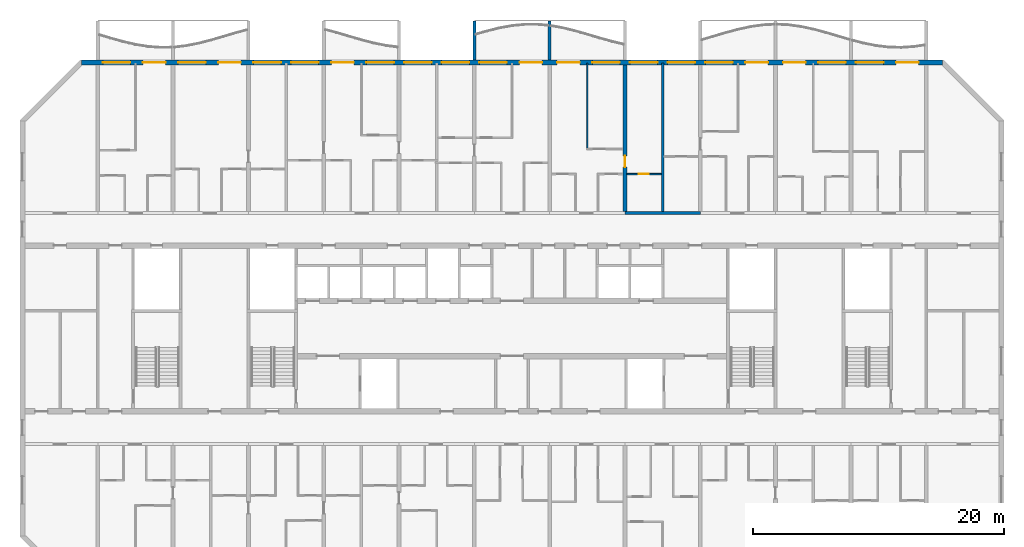
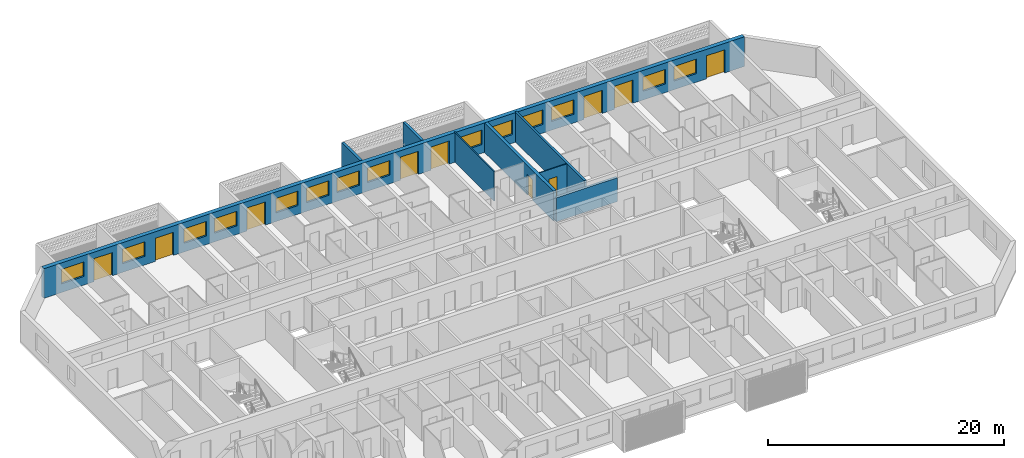
# One storey, part 10 of 31: 14 windows, 10 doors, 8 walls, 24 openings.
"""IFC4 building model written with IfcOpenShell, lengths in metres."""

from ifc_helpers import new_model, si_unit, direction, frame, frame_2d, origin, place, context, subcontext, project, spatial, polyline, rectangle, outline, extrude, source, transform, mapped, material, layer, layer_set, type_object, element, fill, save


model = new_model("IFC4")

# Units and contexts
model_context = context("Model", 3, precision=1e-05, world=origin(), true_north=direction((0.0, 1.0)))
body_context = subcontext(model_context, "Body", "Model", "MODEL_VIEW")
ifc_project = project(units=[si_unit("LENGTHUNIT", "METRE"), si_unit("AREAUNIT", "SQUARE_METRE"), si_unit("VOLUMEUNIT", "CUBIC_METRE"), si_unit("PLANEANGLEUNIT", "RADIAN"), si_unit("MASSUNIT", "GRAM", prefix="KILO")], contexts=[model_context])

# Site, building, storey
site_placement = place(None, origin())
site = spatial("IfcSite", under=ifc_project, at=site_placement, CompositionType="ELEMENT")
building_placement = place(site_placement, origin())
building = spatial("IfcBuilding", under=site, at=building_placement, Name="Poui Terraces", CompositionType="ELEMENT")
storey_placement = place(building_placement, frame((0.0, 0.0, 148.800048828125)))
storey = spatial("IfcBuildingStorey", under=building, at=storey_placement, Name="L41", CompositionType="ELEMENT", Elevation=148.800048828125)

# Wall
ifc_material_1 = material(Name="Concrete 65 MPa", Category="concrete")
ifc_layer_1 = layer(ifc_material_1, 0.25)
ifc_layer_set_1 = layer_set([ifc_layer_1], Name="Concrete 65 MPa")
wall_type_1 = type_object("IfcWallType", Name="CORRIDOR WALL 250 65MPa", PredefinedType="SHEAR", material=ifc_layer_set_1)
wall_1_placement = place(storey_placement, frame((60.0, 30.39990234375, 0.0), z_axis=(0.0, 0.0, 1.0), x_axis=(1.0, 0.0, 0.0)))
element("IfcWall", 1, at=wall_1_placement, inside=storey, type_object=wall_type_1, Name="CORRIDOR WALL LINE E BAY 9", PredefinedType="SHEAR", context=body_context, shape_type="SweptSolid", body=[
    extrude(rectangle(XDim=6.0, YDim=0.25, at=frame_2d((3.0, 0.0))), origin(), (0.0, 0.0, 1.0), 2.469970703125),
])

# Wall, opening, door
ifc_layer_2 = layer(ifc_material_1, 0.300048828125)
ifc_layer_set_2 = layer_set([ifc_layer_2], Name="Concrete 65 MPa")
wall_type_2 = type_object("IfcWallType", Name="CROSS WALL 300 65MPa", PredefinedType="SHEAR", material=ifc_layer_set_2)
wall_2_placement = place(storey_placement, frame((60.0, 30.52490234375, 0.0), z_axis=(0.0, 0.0, 1.0), x_axis=(0.0, 1.0, 0.0)))
wall_2 = element("IfcWall", 2, at=wall_2_placement, inside=storey, type_object=wall_type_2, Name="CROSS WALL LINE 11 NORTH", PredefinedType="SHEAR", context=body_context, shape_type="SweptSolid", body=[
    extrude(rectangle(XDim=11.675048828125, YDim=0.300048828125, at=frame_2d((5.83740234375, 0.0))), origin(), (0.0, 0.0, 1.0), 3.070068359375),
])
opening_1_placement = place(wall_2_placement, frame((3.52490234375, 0.0, 0.0)))
opening_1 = element("IfcOpeningElement", 3, at=opening_1_placement, cuts=wall_2, Name="Opening D90", PredefinedType="OPENING", context=body_context, shape_type="SweptSolid", body=[
    extrude(rectangle(XDim=0.89990234375, YDim=2.10009765625, at=frame_2d((0.449951171875, 1.050048828125))), frame((0.0, 0.16015625, 0.0), z_axis=(0.0, -1.0, 0.0), x_axis=(1.0, 0.0, 0.0)), (0.0, 0.0, 1.0), 0.320068359375),
])
ifc_material_2 = material(Name="Solid core timber door", Category="wood")
door_type_1 = type_object("IfcDoorType", Name="INTERNAL DOOR 900 X 2100", OperationType="NOTDEFINED", PredefinedType="DOOR", material=ifc_material_2)
door_1_placement = place(opening_1_placement, frame((0.89990234375, 0.0, 0.0), z_axis=(0.0, 0.0, 1.0), x_axis=(-1.0, 0.0, 0.0)))
door_1 = element("IfcDoor", 4, at=door_1_placement, inside=storey, type_object=door_type_1, Name="INTERNAL DOOR 062", OperationType="SINGLE_SWING_RIGHT", OverallHeight=2.10009765625, OverallWidth=0.89990234375, PredefinedType="DOOR", context=body_context, shape_type="SweptSolid", body=[
    extrude(rectangle(XDim=0.89990234375, YDim=2.10009765625, at=frame_2d((0.449951171875, 1.050048828125))), frame((0.0, 0.02490234375, 0.0), z_axis=(0.0, -1.0, 0.0), x_axis=(1.0, 0.0, 0.0)), (0.0, 0.0, 1.0), 0.050048828125),
])
fill(opening_1, door_1)

# Wall, openings, doors, windows
ifc_material_3 = material(Name="Precast concrete 40 MPa", Category="concrete")
ifc_layer_3 = layer(ifc_material_3, 0.39990234375)
ifc_layer_set_3 = layer_set([ifc_layer_3], Name="Precast concrete 40 MPa")
wall_type_3 = type_object("IfcWallType", Name="EXTERNAL WALL 400", PredefinedType="STANDARD", material=ifc_layer_set_3)
wall_3_placement = place(storey_placement, frame((85.317138671875, 42.39990234375, 0.0), z_axis=(0.0, 0.0, 1.0), x_axis=(-1.0, 0.0, 0.0)))
wall_3 = element("IfcWall", 5, at=wall_3_placement, inside=storey, type_object=wall_type_3, Name="EXTERNAL WALL N", PredefinedType="STANDARD", context=body_context, shape_type="SweptSolid", body=[
    extrude(rectangle(XDim=68.63427734375, YDim=0.39990234375, at=frame_2d((34.317138671875, 0.0))), origin(), (0.0, 0.0, 1.0), 3.070068359375),
])
opening_2_placement = place(wall_3_placement, frame((64.71728515625, 0.0, 0.89990234375)))
opening_2 = element("IfcOpeningElement", 6, at=opening_2_placement, cuts=wall_3, Name="Opening W1", PredefinedType="OPENING", context=body_context, shape_type="SweptSolid", body=[
    extrude(rectangle(XDim=2.199951171875, YDim=1.5, at=frame_2d((1.10009765625, 0.75))), frame((0.0, 0.2099609375, 0.0), z_axis=(0.0, -1.0, 0.0), x_axis=(1.0, 0.0, 0.0)), (0.0, 0.0, 1.0), 0.419921875),
])
opening_3_placement = place(wall_3_placement, frame((61.917236328125, 0.0, 0.0)))
opening_3 = element("IfcOpeningElement", 7, at=opening_3_placement, cuts=wall_3, Name="Opening BD1", PredefinedType="OPENING", context=body_context, shape_type="SweptSolid", body=[
    extrude(rectangle(XDim=1.800048828125, YDim=2.39990234375, at=frame_2d((0.89990234375, 1.199951171875))), frame((0.0, 0.2099609375, 0.0), z_axis=(0.0, -1.0, 0.0), x_axis=(1.0, 0.0, 0.0)), (0.0, 0.0, 1.0), 0.419921875),
])
opening_4_placement = place(wall_3_placement, frame((58.71728515625, 0.0, 0.89990234375)))
opening_4 = element("IfcOpeningElement", 8, at=opening_4_placement, cuts=wall_3, Name="Opening W1", PredefinedType="OPENING", context=body_context, shape_type="SweptSolid", body=[
    extrude(rectangle(XDim=2.199951171875, YDim=1.5, at=frame_2d((1.10009765625, 0.75))), frame((0.0, 0.2099609375, 0.0), z_axis=(0.0, -1.0, 0.0), x_axis=(1.0, 0.0, 0.0)), (0.0, 0.0, 1.0), 0.419921875),
])
opening_5_placement = place(wall_3_placement, frame((55.917236328125, 0.0, 0.0)))
opening_5 = element("IfcOpeningElement", 9, at=opening_5_placement, cuts=wall_3, Name="Opening BD1", PredefinedType="OPENING", context=body_context, shape_type="SweptSolid", body=[
    extrude(rectangle(XDim=1.800048828125, YDim=2.39990234375, at=frame_2d((0.89990234375, 1.199951171875))), frame((0.0, 0.2099609375, 0.0), z_axis=(0.0, -1.0, 0.0), x_axis=(1.0, 0.0, 0.0)), (0.0, 0.0, 1.0), 0.419921875),
])
opening_6_placement = place(wall_3_placement, frame((52.71728515625, 0.0, 0.89990234375)))
opening_6 = element("IfcOpeningElement", 10, at=opening_6_placement, cuts=wall_3, Name="Opening W1", PredefinedType="OPENING", context=body_context, shape_type="SweptSolid", body=[
    extrude(rectangle(XDim=2.199951171875, YDim=1.5, at=frame_2d((1.10009765625, 0.75))), frame((0.0, 0.2099609375, 0.0), z_axis=(0.0, -1.0, 0.0), x_axis=(1.0, 0.0, 0.0)), (0.0, 0.0, 1.0), 0.419921875),
])
opening_7_placement = place(wall_3_placement, frame((49.71728515625, 0.0, 0.89990234375)))
opening_7 = element("IfcOpeningElement", 11, at=opening_7_placement, cuts=wall_3, Name="Opening W1", PredefinedType="OPENING", context=body_context, shape_type="SweptSolid", body=[
    extrude(rectangle(XDim=2.199951171875, YDim=1.5, at=frame_2d((1.10009765625, 0.75))), frame((0.0, 0.2099609375, 0.0), z_axis=(0.0, -1.0, 0.0), x_axis=(1.0, 0.0, 0.0)), (0.0, 0.0, 1.0), 0.419921875),
])
opening_8_placement = place(wall_3_placement, frame((46.917236328125, 0.0, 0.0)))
opening_8 = element("IfcOpeningElement", 12, at=opening_8_placement, cuts=wall_3, Name="Opening BD1", PredefinedType="OPENING", context=body_context, shape_type="SweptSolid", body=[
    extrude(rectangle(XDim=1.800048828125, YDim=2.39990234375, at=frame_2d((0.89990234375, 1.199951171875))), frame((0.0, 0.2099609375, 0.0), z_axis=(0.0, -1.0, 0.0), x_axis=(1.0, 0.0, 0.0)), (0.0, 0.0, 1.0), 0.419921875),
])
opening_9_placement = place(wall_3_placement, frame((43.71728515625, 0.0, 0.89990234375)))
opening_9 = element("IfcOpeningElement", 13, at=opening_9_placement, cuts=wall_3, Name="Opening W1", PredefinedType="OPENING", context=body_context, shape_type="SweptSolid", body=[
    extrude(rectangle(XDim=2.199951171875, YDim=1.5, at=frame_2d((1.10009765625, 0.75))), frame((0.0, 0.2099609375, 0.0), z_axis=(0.0, -1.0, 0.0), x_axis=(1.0, 0.0, 0.0)), (0.0, 0.0, 1.0), 0.419921875),
])
opening_10_placement = place(wall_3_placement, frame((40.71728515625, 0.0, 0.89990234375)))
opening_10 = element("IfcOpeningElement", 14, at=opening_10_placement, cuts=wall_3, Name="Opening W1", PredefinedType="OPENING", context=body_context, shape_type="SweptSolid", body=[
    extrude(rectangle(XDim=2.199951171875, YDim=1.5, at=frame_2d((1.10009765625, 0.75))), frame((0.0, 0.2099609375, 0.0), z_axis=(0.0, -1.0, 0.0), x_axis=(1.0, 0.0, 0.0)), (0.0, 0.0, 1.0), 0.419921875),
])
opening_11_placement = place(wall_3_placement, frame((37.71728515625, 0.0, 0.89990234375)))
opening_11 = element("IfcOpeningElement", 15, at=opening_11_placement, cuts=wall_3, Name="Opening W1", PredefinedType="OPENING", context=body_context, shape_type="SweptSolid", body=[
    extrude(rectangle(XDim=2.199951171875, YDim=1.5, at=frame_2d((1.10009765625, 0.75))), frame((0.0, 0.2099609375, 0.0), z_axis=(0.0, -1.0, 0.0), x_axis=(1.0, 0.0, 0.0)), (0.0, 0.0, 1.0), 0.419921875),
])
opening_12_placement = place(wall_3_placement, frame((34.71728515625, 0.0, 0.89990234375)))
opening_12 = element("IfcOpeningElement", 16, at=opening_12_placement, cuts=wall_3, Name="Opening W1", PredefinedType="OPENING", context=body_context, shape_type="SweptSolid", body=[
    extrude(rectangle(XDim=2.199951171875, YDim=1.5, at=frame_2d((1.10009765625, 0.75))), frame((0.0, 0.2099609375, 0.0), z_axis=(0.0, -1.0, 0.0), x_axis=(1.0, 0.0, 0.0)), (0.0, 0.0, 1.0), 0.419921875),
])
opening_13_placement = place(wall_3_placement, frame((31.917236328125, 0.0, 0.0)))
opening_13 = element("IfcOpeningElement", 17, at=opening_13_placement, cuts=wall_3, Name="Opening BD1", PredefinedType="OPENING", context=body_context, shape_type="SweptSolid", body=[
    extrude(rectangle(XDim=1.800048828125, YDim=2.39990234375, at=frame_2d((0.89990234375, 1.199951171875))), frame((0.0, 0.2099609375, 0.0), z_axis=(0.0, -1.0, 0.0), x_axis=(1.0, 0.0, 0.0)), (0.0, 0.0, 1.0), 0.419921875),
])
opening_14_placement = place(wall_3_placement, frame((28.917236328125, 0.0, 0.0)))
opening_14 = element("IfcOpeningElement", 18, at=opening_14_placement, cuts=wall_3, Name="Opening BD1", PredefinedType="OPENING", context=body_context, shape_type="SweptSolid", body=[
    extrude(rectangle(XDim=1.800048828125, YDim=2.39990234375, at=frame_2d((0.89990234375, 1.199951171875))), frame((0.0, 0.2099609375, 0.0), z_axis=(0.0, -1.0, 0.0), x_axis=(1.0, 0.0, 0.0)), (0.0, 0.0, 1.0), 0.419921875),
])
opening_15_placement = place(wall_3_placement, frame((25.71728515625, 0.0, 0.89990234375)))
opening_15 = element("IfcOpeningElement", 19, at=opening_15_placement, cuts=wall_3, Name="Opening W1", PredefinedType="OPENING", context=body_context, shape_type="SweptSolid", body=[
    extrude(rectangle(XDim=2.199951171875, YDim=1.5, at=frame_2d((1.10009765625, 0.75))), frame((0.0, 0.2099609375, 0.0), z_axis=(0.0, -1.0, 0.0), x_axis=(1.0, 0.0, 0.0)), (0.0, 0.0, 1.0), 0.419921875),
])
opening_16_placement = place(wall_3_placement, frame((22.71728515625, 0.0, 0.89990234375)))
opening_16 = element("IfcOpeningElement", 20, at=opening_16_placement, cuts=wall_3, Name="Opening W1", PredefinedType="OPENING", context=body_context, shape_type="SweptSolid", body=[
    extrude(rectangle(XDim=2.199951171875, YDim=1.5, at=frame_2d((1.10009765625, 0.75))), frame((0.0, 0.2099609375, 0.0), z_axis=(0.0, -1.0, 0.0), x_axis=(1.0, 0.0, 0.0)), (0.0, 0.0, 1.0), 0.419921875),
])
opening_17_placement = place(wall_3_placement, frame((19.71728515625, 0.0, 0.89990234375)))
opening_17 = element("IfcOpeningElement", 21, at=opening_17_placement, cuts=wall_3, Name="Opening W1", PredefinedType="OPENING", context=body_context, shape_type="SweptSolid", body=[
    extrude(rectangle(XDim=2.199951171875, YDim=1.5, at=frame_2d((1.10009765625, 0.75))), frame((0.0, 0.2099609375, 0.0), z_axis=(0.0, -1.0, 0.0), x_axis=(1.0, 0.0, 0.0)), (0.0, 0.0, 1.0), 0.419921875),
])
opening_18_placement = place(wall_3_placement, frame((16.71728515625, 0.0, 0.89990234375)))
opening_18 = element("IfcOpeningElement", 22, at=opening_18_placement, cuts=wall_3, Name="Opening W1", PredefinedType="OPENING", context=body_context, shape_type="SweptSolid", body=[
    extrude(rectangle(XDim=2.199951171875, YDim=1.5, at=frame_2d((1.10009765625, 0.75))), frame((0.0, 0.2099609375, 0.0), z_axis=(0.0, -1.0, 0.0), x_axis=(1.0, 0.0, 0.0)), (0.0, 0.0, 1.0), 0.419921875),
])
opening_19_placement = place(wall_3_placement, frame((13.917236328125, 0.0, 0.0)))
opening_19 = element("IfcOpeningElement", 23, at=opening_19_placement, cuts=wall_3, Name="Opening BD1", PredefinedType="OPENING", context=body_context, shape_type="SweptSolid", body=[
    extrude(rectangle(XDim=1.800048828125, YDim=2.39990234375, at=frame_2d((0.89990234375, 1.199951171875))), frame((0.0, 0.2099609375, 0.0), z_axis=(0.0, -1.0, 0.0), x_axis=(1.0, 0.0, 0.0)), (0.0, 0.0, 1.0), 0.419921875),
])
opening_20_placement = place(wall_3_placement, frame((10.917236328125, 0.0, 0.0)))
opening_20 = element("IfcOpeningElement", 24, at=opening_20_placement, cuts=wall_3, Name="Opening BD1", PredefinedType="OPENING", context=body_context, shape_type="SweptSolid", body=[
    extrude(rectangle(XDim=1.800048828125, YDim=2.39990234375, at=frame_2d((0.89990234375, 1.199951171875))), frame((0.0, 0.2099609375, 0.0), z_axis=(0.0, -1.0, 0.0), x_axis=(1.0, 0.0, 0.0)), (0.0, 0.0, 1.0), 0.419921875),
])
opening_21_placement = place(wall_3_placement, frame((7.71728515625, 0.0, 0.89990234375)))
opening_21 = element("IfcOpeningElement", 25, at=opening_21_placement, cuts=wall_3, Name="Opening W1", PredefinedType="OPENING", context=body_context, shape_type="SweptSolid", body=[
    extrude(rectangle(XDim=2.199951171875, YDim=1.5, at=frame_2d((1.10009765625, 0.75))), frame((0.0, 0.2099609375, 0.0), z_axis=(0.0, -1.0, 0.0), x_axis=(1.0, 0.0, 0.0)), (0.0, 0.0, 1.0), 0.419921875),
])
opening_22_placement = place(wall_3_placement, frame((4.71728515625, 0.0, 0.89990234375)))
opening_22 = element("IfcOpeningElement", 26, at=opening_22_placement, cuts=wall_3, Name="Opening W1", PredefinedType="OPENING", context=body_context, shape_type="SweptSolid", body=[
    extrude(rectangle(XDim=2.199951171875, YDim=1.5, at=frame_2d((1.10009765625, 0.75))), frame((0.0, 0.2099609375, 0.0), z_axis=(0.0, -1.0, 0.0), x_axis=(1.0, 0.0, 0.0)), (0.0, 0.0, 1.0), 0.419921875),
])
opening_23_placement = place(wall_3_placement, frame((1.917236328125, 0.0, 0.0)))
opening_23 = element("IfcOpeningElement", 27, at=opening_23_placement, cuts=wall_3, Name="Opening BD1", PredefinedType="OPENING", context=body_context, shape_type="SweptSolid", body=[
    extrude(rectangle(XDim=1.800048828125, YDim=2.39990234375, at=frame_2d((0.89990234375, 1.199951171875))), frame((0.0, 0.2099609375, 0.0), z_axis=(0.0, -1.0, 0.0), x_axis=(1.0, 0.0, 0.0)), (0.0, 0.0, 1.0), 0.419921875),
])
ifc_material_4 = material(Name="Clear glass in aluminium frame", Category="aluminium")
door_type_2 = type_object("IfcDoorType", Name="BALCONY DOOR 1800X2400", OperationType="DOUBLE_DOOR_SLIDING", PredefinedType="DOOR", material=ifc_material_4)
door_2_placement = place(opening_3_placement, origin())
door_2 = element("IfcDoor", 28, at=door_2_placement, inside=storey, type_object=door_type_2, Name="BD1 BALCONY DOOR", OperationType="DOUBLE_DOOR_SLIDING", OverallHeight=2.39990234375, OverallWidth=1.800048828125, PredefinedType="DOOR", context=body_context, shape_type="SweptSolid", body=[
    extrude(rectangle(XDim=1.800048828125, YDim=2.39990234375, at=frame_2d((0.89990234375, 1.199951171875))), frame((0.0, 0.02490234375, 0.0), z_axis=(0.0, -1.0, 0.0), x_axis=(1.0, 0.0, 0.0)), (0.0, 0.0, 1.0), 0.050048828125),
])
fill(opening_3, door_2)
door_3_placement = place(opening_5_placement, origin())
door_3 = element("IfcDoor", 29, at=door_3_placement, inside=storey, type_object=door_type_2, Name="BD1 BALCONY DOOR", OperationType="DOUBLE_DOOR_SLIDING", OverallHeight=2.39990234375, OverallWidth=1.800048828125, PredefinedType="DOOR", context=body_context, shape_type="SweptSolid", body=[
    extrude(rectangle(XDim=1.800048828125, YDim=2.39990234375, at=frame_2d((0.89990234375, 1.199951171875))), frame((0.0, 0.02490234375, 0.0), z_axis=(0.0, -1.0, 0.0), x_axis=(1.0, 0.0, 0.0)), (0.0, 0.0, 1.0), 0.050048828125),
])
fill(opening_5, door_3)
door_4_placement = place(opening_8_placement, origin())
door_4 = element("IfcDoor", 30, at=door_4_placement, inside=storey, type_object=door_type_2, Name="BD1 BALCONY DOOR", OperationType="DOUBLE_DOOR_SLIDING", OverallHeight=2.39990234375, OverallWidth=1.800048828125, PredefinedType="DOOR", context=body_context, shape_type="SweptSolid", body=[
    extrude(rectangle(XDim=1.800048828125, YDim=2.39990234375, at=frame_2d((0.89990234375, 1.199951171875))), frame((0.0, 0.02490234375, 0.0), z_axis=(0.0, -1.0, 0.0), x_axis=(1.0, 0.0, 0.0)), (0.0, 0.0, 1.0), 0.050048828125),
])
fill(opening_8, door_4)
door_5_placement = place(opening_13_placement, origin())
door_5 = element("IfcDoor", 31, at=door_5_placement, inside=storey, type_object=door_type_2, Name="BD1 BALCONY DOOR", OperationType="DOUBLE_DOOR_SLIDING", OverallHeight=2.39990234375, OverallWidth=1.800048828125, PredefinedType="DOOR", context=body_context, shape_type="SweptSolid", body=[
    extrude(rectangle(XDim=1.800048828125, YDim=2.39990234375, at=frame_2d((0.89990234375, 1.199951171875))), frame((0.0, 0.02490234375, 0.0), z_axis=(0.0, -1.0, 0.0), x_axis=(1.0, 0.0, 0.0)), (0.0, 0.0, 1.0), 0.050048828125),
])
fill(opening_13, door_5)
door_6_placement = place(opening_14_placement, origin())
door_6 = element("IfcDoor", 32, at=door_6_placement, inside=storey, type_object=door_type_2, Name="BD1 BALCONY DOOR", OperationType="DOUBLE_DOOR_SLIDING", OverallHeight=2.39990234375, OverallWidth=1.800048828125, PredefinedType="DOOR", context=body_context, shape_type="SweptSolid", body=[
    extrude(rectangle(XDim=1.800048828125, YDim=2.39990234375, at=frame_2d((0.89990234375, 1.199951171875))), frame((0.0, 0.02490234375, 0.0), z_axis=(0.0, -1.0, 0.0), x_axis=(1.0, 0.0, 0.0)), (0.0, 0.0, 1.0), 0.050048828125),
])
fill(opening_14, door_6)
door_7_placement = place(opening_19_placement, origin())
door_7 = element("IfcDoor", 33, at=door_7_placement, inside=storey, type_object=door_type_2, Name="BD1 BALCONY DOOR", OperationType="DOUBLE_DOOR_SLIDING", OverallHeight=2.39990234375, OverallWidth=1.800048828125, PredefinedType="DOOR", context=body_context, shape_type="SweptSolid", body=[
    extrude(rectangle(XDim=1.800048828125, YDim=2.39990234375, at=frame_2d((0.89990234375, 1.199951171875))), frame((0.0, 0.02490234375, 0.0), z_axis=(0.0, -1.0, 0.0), x_axis=(1.0, 0.0, 0.0)), (0.0, 0.0, 1.0), 0.050048828125),
])
fill(opening_19, door_7)
door_8_placement = place(opening_20_placement, origin())
door_8 = element("IfcDoor", 34, at=door_8_placement, inside=storey, type_object=door_type_2, Name="BD1 BALCONY DOOR", OperationType="DOUBLE_DOOR_SLIDING", OverallHeight=2.39990234375, OverallWidth=1.800048828125, PredefinedType="DOOR", context=body_context, shape_type="SweptSolid", body=[
    extrude(rectangle(XDim=1.800048828125, YDim=2.39990234375, at=frame_2d((0.89990234375, 1.199951171875))), frame((0.0, 0.02490234375, 0.0), z_axis=(0.0, -1.0, 0.0), x_axis=(1.0, 0.0, 0.0)), (0.0, 0.0, 1.0), 0.050048828125),
])
fill(opening_20, door_8)
door_9_placement = place(opening_23_placement, origin())
door_9 = element("IfcDoor", 35, at=door_9_placement, inside=storey, type_object=door_type_2, Name="BD1 BALCONY DOOR", OperationType="DOUBLE_DOOR_SLIDING", OverallHeight=2.39990234375, OverallWidth=1.800048828125, PredefinedType="DOOR", context=body_context, shape_type="SweptSolid", body=[
    extrude(rectangle(XDim=1.800048828125, YDim=2.39990234375, at=frame_2d((0.89990234375, 1.199951171875))), frame((0.0, 0.02490234375, 0.0), z_axis=(0.0, -1.0, 0.0), x_axis=(1.0, 0.0, 0.0)), (0.0, 0.0, 1.0), 0.050048828125),
])
fill(opening_23, door_9)
window_type = type_object("IfcWindowType", Name="WINDOW 2200X1500", PartitioningType="DOUBLE_PANEL_HORIZONTAL", PredefinedType="WINDOW", material=ifc_material_4)
window_1_placement = place(opening_2_placement, origin())
window_1 = element("IfcWindow", 36, at=window_1_placement, inside=storey, type_object=window_type, Name="W1 WINDOW", OverallHeight=1.5, OverallWidth=2.199951171875, PartitioningType="DOUBLE_PANEL_HORIZONTAL", PredefinedType="WINDOW", context=body_context, shape_type="SweptSolid", body=[
    extrude(rectangle(XDim=2.199951171875, YDim=1.5, at=frame_2d((1.10009765625, 0.75))), frame((0.0, 0.030029296875, 0.0), z_axis=(0.0, -1.0, 0.0), x_axis=(1.0, 0.0, 0.0)), (0.0, 0.0, 1.0), 0.06005859375),
])
fill(opening_2, window_1)
window_2_placement = place(opening_4_placement, origin())
window_2 = element("IfcWindow", 37, at=window_2_placement, inside=storey, type_object=window_type, Name="W1 WINDOW", OverallHeight=1.5, OverallWidth=2.199951171875, PartitioningType="DOUBLE_PANEL_HORIZONTAL", PredefinedType="WINDOW", context=body_context, shape_type="SweptSolid", body=[
    extrude(rectangle(XDim=2.199951171875, YDim=1.5, at=frame_2d((1.10009765625, 0.75))), frame((0.0, 0.030029296875, 0.0), z_axis=(0.0, -1.0, 0.0), x_axis=(1.0, 0.0, 0.0)), (0.0, 0.0, 1.0), 0.06005859375),
])
fill(opening_4, window_2)
window_3_placement = place(opening_6_placement, origin())
window_3 = element("IfcWindow", 38, at=window_3_placement, inside=storey, type_object=window_type, Name="W1 WINDOW", OverallHeight=1.5, OverallWidth=2.199951171875, PartitioningType="DOUBLE_PANEL_HORIZONTAL", PredefinedType="WINDOW", context=body_context, shape_type="SweptSolid", body=[
    extrude(rectangle(XDim=2.199951171875, YDim=1.5, at=frame_2d((1.10009765625, 0.75))), frame((0.0, 0.030029296875, 0.0), z_axis=(0.0, -1.0, 0.0), x_axis=(1.0, 0.0, 0.0)), (0.0, 0.0, 1.0), 0.06005859375),
])
fill(opening_6, window_3)
window_4_placement = place(opening_7_placement, origin())
window_4 = element("IfcWindow", 39, at=window_4_placement, inside=storey, type_object=window_type, Name="W1 WINDOW", OverallHeight=1.5, OverallWidth=2.199951171875, PartitioningType="DOUBLE_PANEL_HORIZONTAL", PredefinedType="WINDOW", context=body_context, shape_type="SweptSolid", body=[
    extrude(rectangle(XDim=2.199951171875, YDim=1.5, at=frame_2d((1.10009765625, 0.75))), frame((0.0, 0.030029296875, 0.0), z_axis=(0.0, -1.0, 0.0), x_axis=(1.0, 0.0, 0.0)), (0.0, 0.0, 1.0), 0.06005859375),
])
fill(opening_7, window_4)
window_5_placement = place(opening_9_placement, origin())
window_5 = element("IfcWindow", 40, at=window_5_placement, inside=storey, type_object=window_type, Name="W1 WINDOW", OverallHeight=1.5, OverallWidth=2.199951171875, PartitioningType="DOUBLE_PANEL_HORIZONTAL", PredefinedType="WINDOW", context=body_context, shape_type="SweptSolid", body=[
    extrude(rectangle(XDim=2.199951171875, YDim=1.5, at=frame_2d((1.10009765625, 0.75))), frame((0.0, 0.030029296875, 0.0), z_axis=(0.0, -1.0, 0.0), x_axis=(1.0, 0.0, 0.0)), (0.0, 0.0, 1.0), 0.06005859375),
])
fill(opening_9, window_5)
window_6_placement = place(opening_10_placement, origin())
window_6 = element("IfcWindow", 41, at=window_6_placement, inside=storey, type_object=window_type, Name="W1 WINDOW", OverallHeight=1.5, OverallWidth=2.199951171875, PartitioningType="DOUBLE_PANEL_HORIZONTAL", PredefinedType="WINDOW", context=body_context, shape_type="SweptSolid", body=[
    extrude(rectangle(XDim=2.199951171875, YDim=1.5, at=frame_2d((1.10009765625, 0.75))), frame((0.0, 0.030029296875, 0.0), z_axis=(0.0, -1.0, 0.0), x_axis=(1.0, 0.0, 0.0)), (0.0, 0.0, 1.0), 0.06005859375),
])
fill(opening_10, window_6)
window_7_placement = place(opening_11_placement, origin())
window_7 = element("IfcWindow", 42, at=window_7_placement, inside=storey, type_object=window_type, Name="W1 WINDOW", OverallHeight=1.5, OverallWidth=2.199951171875, PartitioningType="DOUBLE_PANEL_HORIZONTAL", PredefinedType="WINDOW", context=body_context, shape_type="SweptSolid", body=[
    extrude(rectangle(XDim=2.199951171875, YDim=1.5, at=frame_2d((1.10009765625, 0.75))), frame((0.0, 0.030029296875, 0.0), z_axis=(0.0, -1.0, 0.0), x_axis=(1.0, 0.0, 0.0)), (0.0, 0.0, 1.0), 0.06005859375),
])
fill(opening_11, window_7)
window_8_placement = place(opening_12_placement, origin())
window_8 = element("IfcWindow", 43, at=window_8_placement, inside=storey, type_object=window_type, Name="W1 WINDOW", OverallHeight=1.5, OverallWidth=2.199951171875, PartitioningType="DOUBLE_PANEL_HORIZONTAL", PredefinedType="WINDOW", context=body_context, shape_type="SweptSolid", body=[
    extrude(rectangle(XDim=2.199951171875, YDim=1.5, at=frame_2d((1.10009765625, 0.75))), frame((0.0, 0.030029296875, 0.0), z_axis=(0.0, -1.0, 0.0), x_axis=(1.0, 0.0, 0.0)), (0.0, 0.0, 1.0), 0.06005859375),
])
fill(opening_12, window_8)
window_9_placement = place(opening_15_placement, origin())
window_9 = element("IfcWindow", 44, at=window_9_placement, inside=storey, type_object=window_type, Name="W1 WINDOW", OverallHeight=1.5, OverallWidth=2.199951171875, PartitioningType="DOUBLE_PANEL_HORIZONTAL", PredefinedType="WINDOW", context=body_context, shape_type="SweptSolid", body=[
    extrude(rectangle(XDim=2.199951171875, YDim=1.5, at=frame_2d((1.10009765625, 0.75))), frame((0.0, 0.030029296875, 0.0), z_axis=(0.0, -1.0, 0.0), x_axis=(1.0, 0.0, 0.0)), (0.0, 0.0, 1.0), 0.06005859375),
])
fill(opening_15, window_9)
window_10_placement = place(opening_16_placement, origin())
window_10 = element("IfcWindow", 45, at=window_10_placement, inside=storey, type_object=window_type, Name="W1 WINDOW", OverallHeight=1.5, OverallWidth=2.199951171875, PartitioningType="DOUBLE_PANEL_HORIZONTAL", PredefinedType="WINDOW", context=body_context, shape_type="SweptSolid", body=[
    extrude(rectangle(XDim=2.199951171875, YDim=1.5, at=frame_2d((1.10009765625, 0.75))), frame((0.0, 0.030029296875, 0.0), z_axis=(0.0, -1.0, 0.0), x_axis=(1.0, 0.0, 0.0)), (0.0, 0.0, 1.0), 0.06005859375),
])
fill(opening_16, window_10)
window_11_placement = place(opening_17_placement, origin())
window_11 = element("IfcWindow", 46, at=window_11_placement, inside=storey, type_object=window_type, Name="W1 WINDOW", OverallHeight=1.5, OverallWidth=2.199951171875, PartitioningType="DOUBLE_PANEL_HORIZONTAL", PredefinedType="WINDOW", context=body_context, shape_type="SweptSolid", body=[
    extrude(rectangle(XDim=2.199951171875, YDim=1.5, at=frame_2d((1.10009765625, 0.75))), frame((0.0, 0.030029296875, 0.0), z_axis=(0.0, -1.0, 0.0), x_axis=(1.0, 0.0, 0.0)), (0.0, 0.0, 1.0), 0.06005859375),
])
fill(opening_17, window_11)
window_12_placement = place(opening_18_placement, origin())
window_12 = element("IfcWindow", 47, at=window_12_placement, inside=storey, type_object=window_type, Name="W1 WINDOW", OverallHeight=1.5, OverallWidth=2.199951171875, PartitioningType="DOUBLE_PANEL_HORIZONTAL", PredefinedType="WINDOW", context=body_context, shape_type="SweptSolid", body=[
    extrude(rectangle(XDim=2.199951171875, YDim=1.5, at=frame_2d((1.10009765625, 0.75))), frame((0.0, 0.030029296875, 0.0), z_axis=(0.0, -1.0, 0.0), x_axis=(1.0, 0.0, 0.0)), (0.0, 0.0, 1.0), 0.06005859375),
])
fill(opening_18, window_12)
window_13_placement = place(opening_21_placement, origin())
window_13 = element("IfcWindow", 48, at=window_13_placement, inside=storey, type_object=window_type, Name="W1 WINDOW", OverallHeight=1.5, OverallWidth=2.199951171875, PartitioningType="DOUBLE_PANEL_HORIZONTAL", PredefinedType="WINDOW", context=body_context, shape_type="SweptSolid", body=[
    extrude(rectangle(XDim=2.199951171875, YDim=1.5, at=frame_2d((1.10009765625, 0.75))), frame((0.0, 0.030029296875, 0.0), z_axis=(0.0, -1.0, 0.0), x_axis=(1.0, 0.0, 0.0)), (0.0, 0.0, 1.0), 0.06005859375),
])
fill(opening_21, window_13)
window_14_placement = place(opening_22_placement, origin())
window_14 = element("IfcWindow", 49, at=window_14_placement, inside=storey, type_object=window_type, Name="W1 WINDOW", OverallHeight=1.5, OverallWidth=2.199951171875, PartitioningType="DOUBLE_PANEL_HORIZONTAL", PredefinedType="WINDOW", context=body_context, shape_type="SweptSolid", body=[
    extrude(rectangle(XDim=2.199951171875, YDim=1.5, at=frame_2d((1.10009765625, 0.75))), frame((0.0, 0.030029296875, 0.0), z_axis=(0.0, -1.0, 0.0), x_axis=(1.0, 0.0, 0.0)), (0.0, 0.0, 1.0), 0.06005859375),
])
fill(opening_22, window_14)

# Wall, opening, door
ifc_material_5 = material(Name="Plasterboard partition")
ifc_layer_4 = layer(ifc_material_5, 0.10009765625)
ifc_layer_set_4 = layer_set([ifc_layer_4], Name="Plasterboard partition")
wall_type_4 = type_object("IfcWallType", Name="FLAT PARTITION 100", PredefinedType="PARTITIONING", material=ifc_layer_set_4)
wall_4_placement = place(storey_placement, frame((60.159912109375, 33.5, 0.0), z_axis=(0.0, 0.0, 1.0), x_axis=(1.0, 0.0, 0.0)))
wall_4 = element("IfcWall", 50, at=wall_4_placement, inside=storey, type_object=wall_type_4, Name="FLAT PARTITION 100", PredefinedType="PARTITIONING", context=body_context, shape_type="SweptSolid", body=[
    extrude(rectangle(XDim=2.739990234375, YDim=0.10009765625, at=frame_2d((1.3701171875, 0.0))), origin(), (0.0, 0.0, 1.0), 3.070068359375),
])
opening_24_placement = place(wall_4_placement, frame((0.93994140625, 0.0, 0.0)))
opening_24 = element("IfcOpeningElement", 51, at=opening_24_placement, cuts=wall_4, Name="Opening D80", PredefinedType="OPENING", context=body_context, shape_type="SweptSolid", body=[
    extrude(rectangle(XDim=0.800048828125, YDim=2.10009765625, at=frame_2d((0.39990234375, 1.050048828125))), frame((0.0, 0.06005859375, 0.0), z_axis=(0.0, -1.0, 0.0), x_axis=(1.0, 0.0, 0.0)), (0.0, 0.0, 1.0), 0.1201171875),
])
door_type_3 = type_object("IfcDoorType", Name="BATHROOM, LAUNDRY AND STORE DOOR 800 X 2100", OperationType="NOTDEFINED", PredefinedType="DOOR", material=ifc_material_2)
door_10_placement = place(opening_24_placement, frame((0.800048828125, 0.0, 0.0), z_axis=(0.0, 0.0, 1.0), x_axis=(-1.0, 0.0, 0.0)))
door_10 = element("IfcDoor", 52, at=door_10_placement, inside=storey, type_object=door_type_3, Name="BATHROOM, LAUNDRY AND STORE DOOR 057", OperationType="SINGLE_SWING_LEFT", OverallHeight=2.10009765625, OverallWidth=0.800048828125, PredefinedType="DOOR", context=body_context, shape_type="SweptSolid", body=[
    extrude(rectangle(XDim=0.800048828125, YDim=2.10009765625, at=frame_2d((0.39990234375, 1.050048828125))), frame((0.0, 0.02490234375, 0.0), z_axis=(0.0, -1.0, 0.0), x_axis=(1.0, 0.0, 0.0)), (0.0, 0.0, 1.0), 0.050048828125),
])
fill(opening_24, door_10)

# Walls
wall_5_placement = place(storey_placement, frame((57.0, 35.550048828125, 0.0), z_axis=(0.0, 0.0, 1.0), x_axis=(0.0, 1.0, 0.0)))
element("IfcWall", 53, at=wall_5_placement, inside=storey, type_object=wall_type_4, Name="FLAT PARTITION 100", PredefinedType="PARTITIONING", context=body_context, shape_type="SweptSolid", body=[
    extrude(rectangle(XDim=6.7900390625, YDim=0.10009765625, at=frame_2d((3.39501953125, 0.0))), origin(), (0.0, 0.0, 1.0), 3.070068359375),
])
ifc_material_6 = material(Name="Fire-rated masonry wall", Category="masonry")
ifc_layer_5 = layer(ifc_material_6, 0.199951171875)
ifc_layer_set_5 = layer_set([ifc_layer_5], Name="Fire-rated masonry wall")
wall_type_5 = type_object("IfcWallType", Name="FLAT PARTY WALL 200", PredefinedType="PARTITIONING", material=ifc_layer_set_5)
wall_6_placement = place(storey_placement, frame((63.0, 30.534912109375, 0.0), z_axis=(0.0, 0.0, 1.0), x_axis=(0.0, 1.0, 0.0)))
element("IfcWall", 54, at=wall_6_placement, inside=storey, type_object=wall_type_5, Name="FLAT PARTY WALL 200", PredefinedType="PARTITIONING", context=body_context, shape_type="SweptSolid", body=[
    extrude(rectangle(XDim=11.80517578125, YDim=0.199951171875, at=frame_2d((5.902587890625, 0.0))), origin(), (0.0, 0.0, 1.0), 3.070068359375),
])
ifc_layer_6 = layer(ifc_material_3, 0.25)
ifc_layer_set_6 = layer_set([ifc_layer_6], Name="Precast concrete 40 MPa")
wall_type_6 = type_object("IfcWallType", Name="BALCONY FIN 250", PredefinedType="STANDARD", material=ifc_layer_set_6)
shared_shape = source(origin(), body_context, "Body", "SweptSolid", [
    extrude(outline(polyline([(0.0, 0.0), (0.25, 0.0), (0.25, 3.099853515625), (0.0, 3.099853515625), (0.0, 0.0)])), origin(), (0.0, 0.0, 1.0), 3.099853515625),
])
for number, where, name in (
    (55, (47.875, 42.60009765625, 0.0), "BALCONY FIN"),
    (56, (53.875, 42.60009765625, 0.0), "BALCONY FIN"),
):
    element("IfcWall", number, at=place(storey_placement, frame(where)), inside=storey, type_object=wall_type_6, Name=name, PredefinedType="STANDARD", context=body_context, shape_type="MappedRepresentation", body=[
        mapped(shared_shape, transform((0.0, 0.0, 0.0))),
    ])

save(model, "model.ifc")
